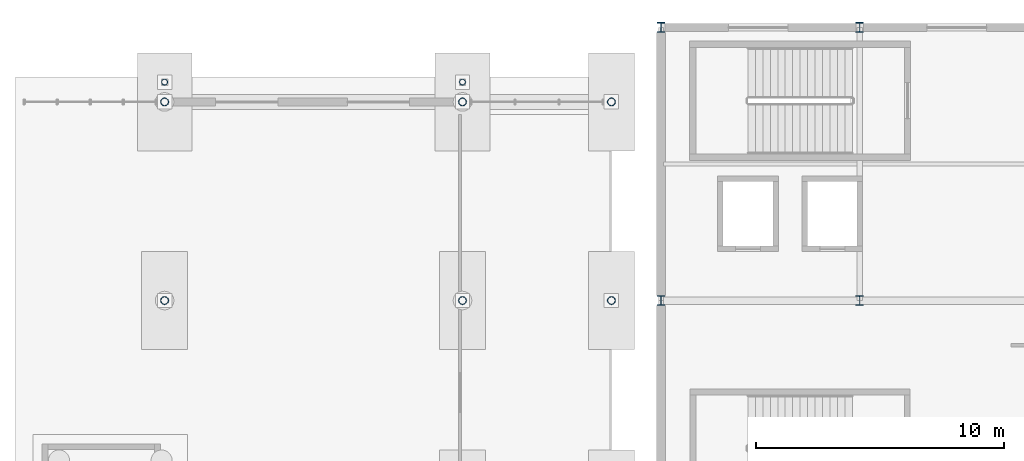
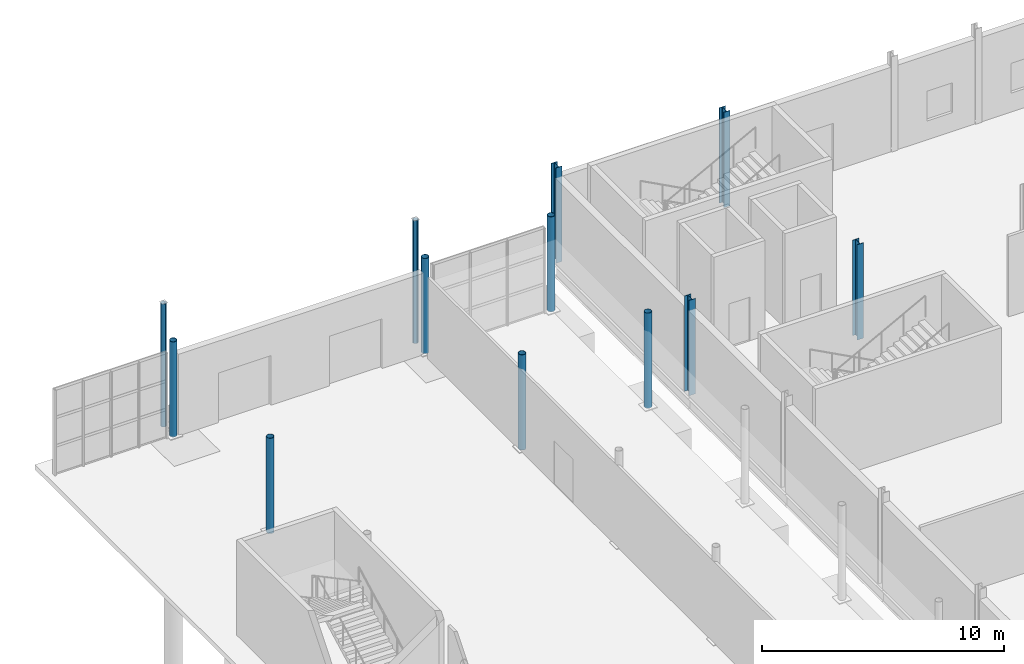
# One storey, part 22 of 101: 12 columns.
"""IFC4 building model written with IfcOpenShell, lengths in metres."""

from ifc_helpers import new_model, si_unit, derived_unit, direction, frame, origin, origin_2d, place, context, subcontext, project, spatial, hollow_circle, i_section, extrude, material, material_profile, profile_set, type_object, element, save


model = new_model("IFC4")

# Units and contexts
model_context = context("Model", 3, precision=1e-05, world=origin(), true_north=direction((0.0, 1.0)))
body_context = subcontext(model_context, "Body", "Model", "MODEL_VIEW")
ifc_project = project(units=[si_unit("LENGTHUNIT", "METRE"), si_unit("AREAUNIT", "SQUARE_METRE"), si_unit("VOLUMEUNIT", "CUBIC_METRE"), si_unit("PLANEANGLEUNIT", "RADIAN"), si_unit("MASSUNIT", "GRAM", prefix="KILO"), derived_unit("THERMALTRANSMITTANCEUNIT", [(si_unit("POWERUNIT", "WATT"), 1), (si_unit("LENGTHUNIT", "METRE"), -2), (si_unit("THERMODYNAMICTEMPERATUREUNIT", "KELVIN"), -1)])], contexts=[model_context])

# Site, building, storey
site_placement = place(None, origin())
site = spatial("IfcSite", under=ifc_project, at=site_placement, CompositionType="ELEMENT")
building_placement = place(site_placement, origin())
building = spatial("IfcBuilding", under=site, at=building_placement, Name="Keldorne Ridge Multi-Sports Centre", CompositionType="ELEMENT")
storey_placement = place(building_placement, origin())
storey = spatial("IfcBuildingStorey", under=building, at=storey_placement, Name="L00", CompositionType="ELEMENT", Elevation=0.0)

# Columns
ifc_material = material(Name="Steel S355", Category="steel")
ifc_material_profile_1 = material_profile(ifc_material, hollow_circle(Radius=0.161865234375, WallThickness=0.01611328125, at=origin_2d()), Name="CHS 323.9x16")
ifc_profile_set_1 = profile_set([ifc_material_profile_1], Name="Steel S355")
column_type_1 = type_object("IfcColumnType", Name="COL-C-08", PredefinedType="COLUMN", material=ifc_profile_set_1)
for number, where, z_axis, x_axis, name in (
    (1, (84.0, 106.0, 0.0), (0.0, 0.0, 1.0), (1.0, 0.0, 0.0), "Structural column V4-G12-13 on L00"),
    (2, (96.0, 106.0, 0.0), (0.0, 0.0, 1.0), (1.0, 0.0, 0.0), "Structural column V4-G14-13 on L00"),
    (3, (102.0, 106.0, 0.0), (0.0, 0.0, 1.0), (1.0, 0.0, 0.0), "Structural column V4-G15-13 on L00"),
    (4, (84.0, 114.0, 0.0), (0.0, 0.0, 1.0), (1.0, 0.0, 0.0), "Structural column V4-G12-14 on L00"),
    (5, (96.0, 114.0, 0.0), (0.0, 0.0, 1.0), (1.0, 0.0, 0.0), "Structural column V4-G14-14 on L00"),
    (6, (102.0, 114.0, 0.0), (0.0, 0.0, 1.0), (1.0, 0.0, 0.0), "Structural column V4-G15-14 on L00"),
):
    element("IfcColumn", number, at=place(storey_placement, frame(where, z_axis=z_axis, x_axis=x_axis)), inside=storey, type_object=column_type_1, Name=name, PredefinedType="COLUMN", context=body_context, shape_type="SweptSolid", body=[
        extrude(hollow_circle(Radius=0.161865234375, WallThickness=0.01611328125, at=origin_2d()), origin(), (0.0, 0.0, 1.0), 4.800048828125),
    ])
ifc_material_profile_2 = material_profile(ifc_material, i_section(OverallWidth=0.300048828125, OverallDepth=0.39990234375, WebThickness=0.013427734375, FlangeThickness=0.02392578125, FilletRadius=0.027099609375, at=origin_2d()), Name="HEB 400")
ifc_profile_set_2 = profile_set([ifc_material_profile_2], Name="Steel S355")
column_type_2 = type_object("IfcColumnType", Name="COL-C-09", PredefinedType="COLUMN", material=ifc_profile_set_2)
for number, where, z_axis, x_axis, name in (
    (7, (104.0, 106.0, 0.0), (0.0, 0.0, 1.0), (1.0, 0.0, 0.0), "Structural column V5-C-01-06 on L00"),
    (8, (104.0, 117.0, 0.0), (0.0, 0.0, 1.0), (1.0, 0.0, 0.0), "Structural column V5-C-01-07 on L00"),
    (9, (112.0, 106.0, 0.0), (0.0, 0.0, 1.0), (1.0, 0.0, 0.0), "Structural column V5-C-02-06 on L00"),
    (10, (112.0, 117.0, 0.0), (0.0, 0.0, 1.0), (1.0, 0.0, 0.0), "Structural column V5-C-02-07 on L00"),
):
    element("IfcColumn", number, at=place(storey_placement, frame(where, z_axis=z_axis, x_axis=x_axis)), inside=storey, type_object=column_type_2, Name=name, PredefinedType="COLUMN", context=body_context, shape_type="SweptSolid", body=[
        extrude(i_section(OverallWidth=0.300048828125, OverallDepth=0.39990234375, WebThickness=0.013427734375, FlangeThickness=0.02392578125, FilletRadius=0.027099609375, at=origin_2d()), origin(), (0.0, 0.0, 1.0), 4.800048828125),
    ])
ifc_material_profile_3 = material_profile(ifc_material, hollow_circle(Radius=0.122314453125, WallThickness=0.012451171875, at=origin_2d()), Name="CHS 244.5x12.5")
ifc_profile_set_3 = profile_set([ifc_material_profile_3], Name="Steel S355")
column_type_3 = type_object("IfcColumnType", Name="COL-C-19", PredefinedType="PILASTER", material=ifc_profile_set_3)
for number, where, z_axis, x_axis, name in (
    (11, (84.0, 114.800048828125, 0.0), (0.0, 0.0, 1.0), (1.0, 0.0, 0.0), "Structural column V4-CAN-N-01 on L00"),
    (12, (96.0, 114.800048828125, 0.0), (0.0, 0.0, 1.0), (1.0, 0.0, 0.0), "Structural column V4-CAN-N-02 on L00"),
):
    element("IfcColumn", number, at=place(storey_placement, frame(where, z_axis=z_axis, x_axis=x_axis)), inside=storey, type_object=column_type_3, Name=name, PredefinedType="PILASTER", context=body_context, shape_type="SweptSolid", body=[
        extrude(hollow_circle(Radius=0.122314453125, WallThickness=0.012451171875, at=origin_2d()), origin(), (0.0, 0.0, 1.0), 6.199951171875),
    ])

save(model, "model.ifc")
